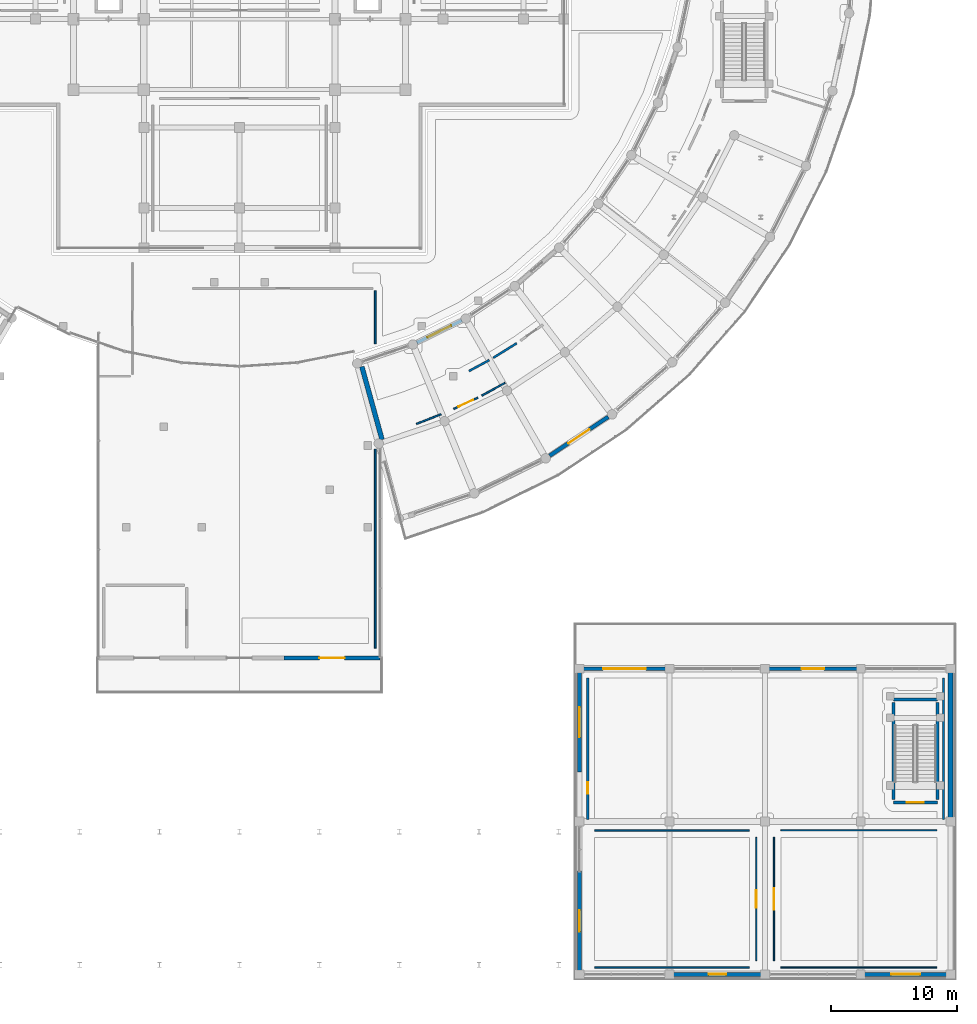
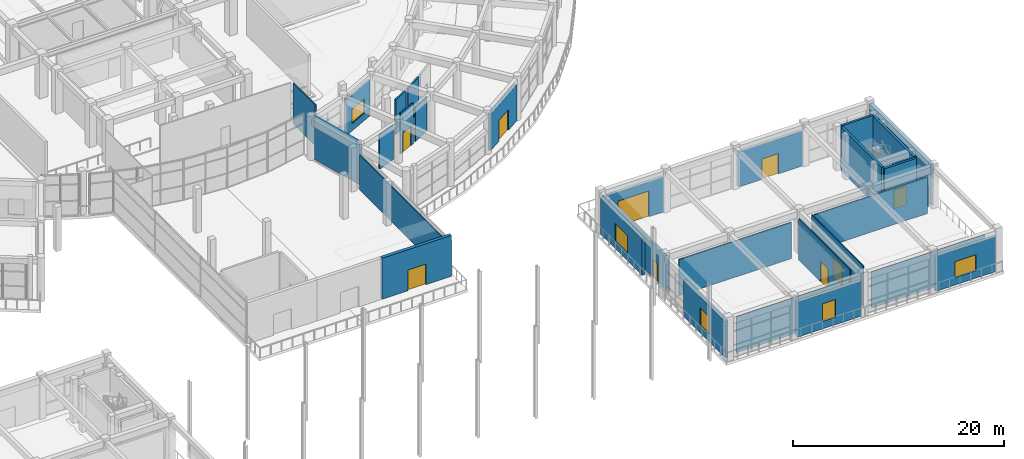
# One storey, part 67 of 99: 30 walls, 9 doors, 5 windows, 14 openings.
"""IFC4 building model written with IfcOpenShell, lengths in metres."""

from ifc_helpers import new_model, si_unit, direction, frame, frame_2d, origin, place, context, subcontext, project, spatial, rectangle, extrude, material, layer, layer_set, type_object, element, fill, save


model = new_model("IFC4")

# Units and contexts
model_context = context("Model", 3, precision=1e-05, world=origin(), true_north=direction((0.0, 1.0)))
body_context = subcontext(model_context, "Body", "Model", "MODEL_VIEW")
ifc_project = project(units=[si_unit("LENGTHUNIT", "METRE"), si_unit("AREAUNIT", "SQUARE_METRE"), si_unit("VOLUMEUNIT", "CUBIC_METRE"), si_unit("PLANEANGLEUNIT", "RADIAN"), si_unit("MASSUNIT", "GRAM", prefix="KILO")], contexts=[model_context])

# Site, building, storey
site_placement = place(None, origin())
site = spatial("IfcSite", under=ifc_project, at=site_placement, CompositionType="ELEMENT")
building_placement = place(site_placement, origin())
building = spatial("IfcBuilding", under=site, at=building_placement, Name="Saryqyr Civic Hall", CompositionType="ELEMENT")
storey_placement = place(building_placement, origin())
storey = spatial("IfcBuildingStorey", under=building, at=storey_placement, Name="L00", CompositionType="ELEMENT", Elevation=0.0)

# Wall, opening, window
ifc_material_1 = material(Name="Precast concrete C40/50", Category="concrete")
ifc_layer_1 = layer(ifc_material_1, 0.27001953125, Name="Precast concrete C40/50")
ifc_layer_set_1 = layer_set([ifc_layer_1], Name="Precast concrete C40/50")
wall_type_1 = type_object("IfcWallType", Name="ENV-WAL-EXT-270", PredefinedType="STANDARD", material=ifc_layer_set_1)
wall_1_placement = place(storey_placement, frame((71.107666015625, 50.6845703125, 0.0), z_axis=(0.0, 0.0, 1.0), x_axis=(0.897976743732, 0.440042915767, 0.0)))
wall_1 = element("IfcWall", 1, at=wall_1_placement, inside=storey, type_object=wall_type_1, Name="Exterior wall V5-EWI-L00-01", PredefinedType="STANDARD", context=body_context, shape_type="SweptSolid", body=[
    extrude(rectangle(XDim=3.984619140625, YDim=0.27001953125, at=frame_2d((1.9921875, 0.0))), origin(), (0.0, 0.0, 1.0), 4.195068359375),
])
opening_1_placement = place(wall_1_placement, frame((0.94189453125, 0.0, 0.85009765625)))
opening_1 = element("IfcOpeningElement", 2, at=opening_1_placement, cuts=wall_1, Name="Opening W-21", PredefinedType="OPENING", context=body_context, shape_type="SweptSolid", body=[
    extrude(rectangle(XDim=2.10009765625, YDim=1.64990234375, at=frame_2d((1.050048828125, 0.824951171875))), frame((0.0, 0.14501953125, 0.0), z_axis=(0.0, -1.0, 0.0), x_axis=(1.0, 0.0, 0.0)), (0.0, 0.0, 1.0), 0.2900390625),
])
ifc_material_2 = material(Name="Anodised aluminium and triple low-E glass", Category="aluminium")
window_type_1 = type_object("IfcWindowType", Name="ENV-WIN-W21", PartitioningType="SINGLE_PANEL", PredefinedType="WINDOW", material=ifc_material_2)
window_1_placement = place(opening_1_placement, origin())
window_1 = element("IfcWindow", 3, at=window_1_placement, inside=storey, type_object=window_type_1, Name="Courtyard window V5-L00-01", OverallHeight=1.64990234375, OverallWidth=2.10009765625, PartitioningType="SINGLE_PANEL", PredefinedType="WINDOW", context=body_context, shape_type="SweptSolid", body=[
    extrude(rectangle(XDim=2.10009765625, YDim=1.64990234375, at=frame_2d((1.050048828125, 0.824951171875))), frame((0.0, 0.030029296875, 0.0), z_axis=(0.0, -1.0, 0.0), x_axis=(1.0, 0.0, 0.0)), (0.0, 0.0, 1.0), 0.06005859375),
])
fill(opening_1, window_1)

# Wall, opening, door
ifc_layer_2 = layer(ifc_material_1, 0.31005859375, Name="Precast concrete C40/50")
ifc_layer_set_2 = layer_set([ifc_layer_2], Name="Precast concrete C40/50")
wall_type_2 = type_object("IfcWallType", Name="ENV-WAL-EXT-310", PredefinedType="STANDARD", material=ifc_layer_set_2)
wall_2_placement = place(storey_placement, frame((86.32568359375, 44.7724609375, 0.0), z_axis=(0.0, 0.0, 1.0), x_axis=(-0.833767967978, -0.552115002127, 0.0)))
wall_2 = element("IfcWall", 4, at=wall_2_placement, inside=storey, type_object=wall_type_2, Name="Exterior wall V5-EWO-L00-02", PredefinedType="STANDARD", context=body_context, shape_type="SweptSolid", body=[
    extrude(rectangle(XDim=5.5849609375, YDim=0.31005859375, at=frame_2d((2.79248046875, 0.0))), origin(), (0.0, 0.0, 1.0), 4.195068359375),
])
opening_2_placement = place(wall_2_placement, frame((1.7919921875, 0.0, 0.0)))
opening_2 = element("IfcOpeningElement", 5, at=opening_2_placement, cuts=wall_2, Name="Opening ED-A", PredefinedType="OPENING", context=body_context, shape_type="SweptSolid", body=[
    extrude(rectangle(XDim=2.0, YDim=2.39990234375, at=frame_2d((1.0, 1.199951171875))), frame((0.0, 0.1650390625, 0.0), z_axis=(0.0, -1.0, 0.0), x_axis=(1.0, 0.0, 0.0)), (0.0, 0.0, 1.0), 0.330078125),
])
ifc_material_3 = material(Name="Thermally broken painted galvanized steel", Category="steel")
door_type_1 = type_object("IfcDoorType", Name="ENV-DR-EXIT-2000x2400", OperationType="NOTDEFINED", PredefinedType="DOOR", material=ifc_material_3)
door_1_placement = place(opening_2_placement, origin())
door_1 = element("IfcDoor", 6, at=door_1_placement, inside=storey, type_object=door_type_1, Name="Pedestrian Final Exit Door V5-02", OperationType="DOUBLE_DOOR_SINGLE_SWING", OverallHeight=2.39990234375, OverallWidth=2.0, PredefinedType="DOOR", context=body_context, shape_type="SweptSolid", body=[
    extrude(rectangle(XDim=2.0, YDim=2.39990234375, at=frame_2d((1.0, 1.199951171875))), frame((0.0, 0.02490234375, 0.0), z_axis=(0.0, -1.0, 0.0), x_axis=(1.0, 0.0, 0.0)), (0.0, 0.0, 1.0), 0.050048828125),
])
fill(opening_2, door_1)

# Wall, opening, window
wall_3_placement = place(storey_placement, frame((113.264892578125, 0.449951171875, 0.0), z_axis=(0.0, 0.0, 1.0), x_axis=(-1.0, 0.0, 0.0)))
wall_3 = element("IfcWall", 7, at=wall_3_placement, inside=storey, type_object=wall_type_2, Name="Exterior wall V7E-EW-L00-0-0", PredefinedType="STANDARD", context=body_context, shape_type="SweptSolid", body=[
    extrude(rectangle(XDim=6.579833984375, YDim=0.31005859375, at=frame_2d((3.2900390625, 0.0))), origin(), (0.0, 0.0, 1.0), 4.044921875),
])
opening_3_placement = place(wall_3_placement, frame((2.139892578125, 0.0, 0.85009765625)))
opening_3 = element("IfcOpeningElement", 8, at=opening_3_placement, cuts=wall_3, Name="Opening W-29", PredefinedType="OPENING", context=body_context, shape_type="SweptSolid", body=[
    extrude(rectangle(XDim=2.300048828125, YDim=1.85009765625, at=frame_2d((1.14990234375, 0.925048828125))), frame((0.0, 0.1650390625, 0.0), z_axis=(0.0, -1.0, 0.0), x_axis=(1.0, 0.0, 0.0)), (0.0, 0.0, 1.0), 0.330078125),
])
window_type_2 = type_object("IfcWindowType", Name="ENV-WIN-W29", PartitioningType="SINGLE_PANEL", PredefinedType="WINDOW", material=ifc_material_2)
window_2_placement = place(opening_3_placement, origin())
window_2 = element("IfcWindow", 9, at=window_2_placement, inside=storey, type_object=window_type_2, Name="Gatehouse window E-L00-0-0", OverallHeight=1.85009765625, OverallWidth=2.300048828125, PartitioningType="SINGLE_PANEL", PredefinedType="WINDOW", context=body_context, shape_type="SweptSolid", body=[
    extrude(rectangle(XDim=2.300048828125, YDim=1.85009765625, at=frame_2d((1.14990234375, 0.925048828125))), frame((0.0, 0.030029296875, 0.0), z_axis=(0.0, -1.0, 0.0), x_axis=(1.0, 0.0, 0.0)), (0.0, 0.0, 1.0), 0.06005859375),
])
fill(opening_3, window_2)

wall_4_placement = place(storey_placement, frame((98.514892578125, 0.449951171875, 0.0), z_axis=(0.0, 0.0, 1.0), x_axis=(-1.0, 0.0, 0.0)))
wall_4 = element("IfcWall", 10, at=wall_4_placement, inside=storey, type_object=wall_type_2, Name="Exterior wall V7E-EW-L00-0-2", PredefinedType="STANDARD", context=body_context, shape_type="SweptSolid", body=[
    extrude(rectangle(XDim=7.02978515625, YDim=0.31005859375, at=frame_2d((3.514892578125, 0.0))), origin(), (0.0, 0.0, 1.0), 4.044921875),
])
opening_4_placement = place(wall_4_placement, frame((2.81494140625, 0.0, 0.85009765625)))
opening_4 = element("IfcOpeningElement", 11, at=opening_4_placement, cuts=wall_4, Name="Opening W-31", PredefinedType="OPENING", context=body_context, shape_type="SweptSolid", body=[
    extrude(rectangle(XDim=1.39990234375, YDim=2.050048828125, at=frame_2d((0.699951171875, 1.02490234375))), frame((0.0, 0.1650390625, 0.0), z_axis=(0.0, -1.0, 0.0), x_axis=(1.0, 0.0, 0.0)), (0.0, 0.0, 1.0), 0.330078125),
])
window_type_3 = type_object("IfcWindowType", Name="ENV-WIN-W31", PartitioningType="SINGLE_PANEL", PredefinedType="WINDOW", material=ifc_material_2)
window_3_placement = place(opening_4_placement, origin())
window_3 = element("IfcWindow", 12, at=window_3_placement, inside=storey, type_object=window_type_3, Name="Gatehouse window E-L00-0-2", OverallHeight=2.050048828125, OverallWidth=1.39990234375, PartitioningType="SINGLE_PANEL", PredefinedType="WINDOW", context=body_context, shape_type="SweptSolid", body=[
    extrude(rectangle(XDim=1.39990234375, YDim=2.050048828125, at=frame_2d((0.699951171875, 1.02490234375))), frame((0.0, 0.030029296875, 0.0), z_axis=(0.0, -1.0, 0.0), x_axis=(1.0, 0.0, 0.0)), (0.0, 0.0, 1.0), 0.06005859375),
])
fill(opening_4, window_3)

# Wall, opening, door
wall_5_placement = place(storey_placement, frame((84.3349609375, 24.75, 0.0), z_axis=(0.0, 0.0, 1.0), x_axis=(1.0, 0.0, 0.0)))
wall_5 = element("IfcWall", 13, at=wall_5_placement, inside=storey, type_object=wall_type_2, Name="Exterior wall V7E-EW-L00-2-0", PredefinedType="STANDARD", context=body_context, shape_type="SweptSolid", body=[
    extrude(rectangle(XDim=6.580078125, YDim=0.31005859375, at=frame_2d((3.2900390625, 0.0))), origin(), (0.0, 0.0, 1.0), 4.044921875),
])
opening_5_placement = place(wall_5_placement, frame((1.590087890625, 0.0, 0.0)))
opening_5 = element("IfcOpeningElement", 14, at=opening_5_placement, cuts=wall_5, Name="Opening VG-B", PredefinedType="OPENING", context=body_context, shape_type="SweptSolid", body=[
    extrude(rectangle(XDim=3.39990234375, YDim=3.0, at=frame_2d((1.699951171875, 1.5))), frame((0.0, 0.1650390625, 0.0), z_axis=(0.0, -1.0, 0.0), x_axis=(1.0, 0.0, 0.0)), (0.0, 0.0, 1.0), 0.330078125),
])
door_type_2 = type_object("IfcDoorType", Name="ENV-GT-SRV-3400x3000", OperationType="NOTDEFINED", PredefinedType="GATE", material=ifc_material_3)
door_2_placement = place(opening_5_placement, origin())
door_2 = element("IfcDoor", 15, at=door_2_placement, inside=storey, type_object=door_type_2, Name="Service loading bay roller-shutter gate VG-02", OperationType="ROLLINGUP", OverallHeight=3.0, OverallWidth=3.39990234375, PredefinedType="GATE", context=body_context, shape_type="SweptSolid", body=[
    extrude(rectangle(XDim=3.39990234375, YDim=3.0, at=frame_2d((1.699951171875, 1.5))), frame((0.0, 0.02490234375, 0.0), z_axis=(0.0, -1.0, 0.0), x_axis=(1.0, 0.0, 0.0)), (0.0, 0.0, 1.0), 0.050048828125),
])
fill(opening_5, door_2)

wall_6_placement = place(storey_placement, frame((99.0849609375, 24.75, 0.0), z_axis=(0.0, 0.0, 1.0), x_axis=(1.0, 0.0, 0.0)))
wall_6 = element("IfcWall", 16, at=wall_6_placement, inside=storey, type_object=wall_type_2, Name="Exterior wall V7E-EW-L00-2-2", PredefinedType="STANDARD", context=body_context, shape_type="SweptSolid", body=[
    extrude(rectangle(XDim=7.030029296875, YDim=0.31005859375, at=frame_2d((3.51513671875, 0.0))), origin(), (0.0, 0.0, 1.0), 4.044921875),
])
opening_6_placement = place(wall_6_placement, frame((2.614990234375, 0.0, 0.0)))
opening_6 = element("IfcOpeningElement", 17, at=opening_6_placement, cuts=wall_6, Name="Opening ED-B", PredefinedType="OPENING", context=body_context, shape_type="SweptSolid", body=[
    extrude(rectangle(XDim=1.800048828125, YDim=2.35009765625, at=frame_2d((0.89990234375, 1.175048828125))), frame((0.0, 0.1650390625, 0.0), z_axis=(0.0, -1.0, 0.0), x_axis=(1.0, 0.0, 0.0)), (0.0, 0.0, 1.0), 0.330078125),
])
door_type_3 = type_object("IfcDoorType", Name="ENV-DR-EXIT-1800x2350", OperationType="NOTDEFINED", PredefinedType="DOOR", material=ifc_material_3)
door_3_placement = place(opening_6_placement, origin())
door_3 = element("IfcDoor", 18, at=door_3_placement, inside=storey, type_object=door_type_3, Name="Pedestrian Final Exit Door Boulevard E", OperationType="DOUBLE_DOOR_SINGLE_SWING", OverallHeight=2.35009765625, OverallWidth=1.800048828125, PredefinedType="DOOR", context=body_context, shape_type="SweptSolid", body=[
    extrude(rectangle(XDim=1.800048828125, YDim=2.35009765625, at=frame_2d((0.89990234375, 1.175048828125))), frame((0.0, 0.02490234375, 0.0), z_axis=(0.0, -1.0, 0.0), x_axis=(1.0, 0.0, 0.0)), (0.0, 0.0, 1.0), 0.050048828125),
])
fill(opening_6, door_3)

# Wall, opening, window
wall_7_placement = place(storey_placement, frame((84.050048828125, 0.735107421875, 0.0), z_axis=(0.0, 0.0, 1.0), x_axis=(0.0, 1.0, 0.0)))
wall_7 = element("IfcWall", 19, at=wall_7_placement, inside=storey, type_object=wall_type_2, Name="Exterior wall V7E-EW-L00-3-0", PredefinedType="STANDARD", context=body_context, shape_type="SweptSolid", body=[
    extrude(rectangle(XDim=7.934814453125, YDim=0.31005859375, at=frame_2d((3.96728515625, 0.0))), origin(), (0.0, 0.0, 1.0), 4.195068359375),
])
opening_7_placement = place(wall_7_placement, frame((3.116943359375, 0.0, 0.85009765625)))
opening_7 = element("IfcOpeningElement", 20, at=opening_7_placement, cuts=wall_7, Name="Opening W-32", PredefinedType="OPENING", context=body_context, shape_type="SweptSolid", body=[
    extrude(rectangle(XDim=1.699951171875, YDim=2.050048828125, at=frame_2d((0.85009765625, 1.02490234375))), frame((0.0, 0.1650390625, 0.0), z_axis=(0.0, -1.0, 0.0), x_axis=(1.0, 0.0, 0.0)), (0.0, 0.0, 1.0), 0.330078125),
])
window_type_4 = type_object("IfcWindowType", Name="ENV-WIN-W32", PartitioningType="SINGLE_PANEL", PredefinedType="WINDOW", material=ifc_material_2)
window_4_placement = place(opening_7_placement, origin())
window_4 = element("IfcWindow", 21, at=window_4_placement, inside=storey, type_object=window_type_4, Name="Gatehouse window E-L00-3-0", OverallHeight=2.050048828125, OverallWidth=1.699951171875, PartitioningType="SINGLE_PANEL", PredefinedType="WINDOW", context=body_context, shape_type="SweptSolid", body=[
    extrude(rectangle(XDim=1.699951171875, YDim=2.050048828125, at=frame_2d((0.85009765625, 1.02490234375))), frame((0.0, 0.030029296875, 0.0), z_axis=(0.0, -1.0, 0.0), x_axis=(1.0, 0.0, 0.0)), (0.0, 0.0, 1.0), 0.06005859375),
])
fill(opening_7, window_4)

wall_8_placement = place(storey_placement, frame((84.050048828125, 16.530029296875, 0.0), z_axis=(0.0, 0.0, 1.0), x_axis=(0.0, 1.0, 0.0)))
wall_8 = element("IfcWall", 22, at=wall_8_placement, inside=storey, type_object=wall_type_2, Name="Exterior wall V7E-EW-L00-3-2", PredefinedType="STANDARD", context=body_context, shape_type="SweptSolid", body=[
    extrude(rectangle(XDim=7.93505859375, YDim=0.31005859375, at=frame_2d((3.967529296875, 0.0))), origin(), (0.0, 0.0, 1.0), 4.195068359375),
])
opening_8_placement = place(wall_8_placement, frame((2.76708984375, 0.0, 0.85009765625)))
opening_8 = element("IfcOpeningElement", 23, at=opening_8_placement, cuts=wall_8, Name="Opening W-34", PredefinedType="OPENING", context=body_context, shape_type="SweptSolid", body=[
    extrude(rectangle(XDim=2.39990234375, YDim=2.050048828125, at=frame_2d((1.199951171875, 1.02490234375))), frame((0.0, 0.1650390625, 0.0), z_axis=(0.0, -1.0, 0.0), x_axis=(1.0, 0.0, 0.0)), (0.0, 0.0, 1.0), 0.330078125),
])
window_type_5 = type_object("IfcWindowType", Name="ENV-WIN-W34", PartitioningType="SINGLE_PANEL", PredefinedType="WINDOW", material=ifc_material_2)
window_5_placement = place(opening_8_placement, origin())
window_5 = element("IfcWindow", 24, at=window_5_placement, inside=storey, type_object=window_type_5, Name="Gatehouse window E-L00-3-2", OverallHeight=2.050048828125, OverallWidth=2.39990234375, PartitioningType="SINGLE_PANEL", PredefinedType="WINDOW", context=body_context, shape_type="SweptSolid", body=[
    extrude(rectangle(XDim=2.39990234375, YDim=2.050048828125, at=frame_2d((1.199951171875, 1.02490234375))), frame((0.0, 0.030029296875, 0.0), z_axis=(0.0, -1.0, 0.0), x_axis=(1.0, 0.0, 0.0)), (0.0, 0.0, 1.0), 0.06005859375),
])
fill(opening_8, window_5)

# Wall, opening, door
ifc_layer_3 = layer(ifc_material_1, 0.340087890625, Name="Precast concrete C40/50")
ifc_layer_set_3 = layer_set([ifc_layer_3], Name="Precast concrete C40/50")
wall_type_3 = type_object("IfcWallType", Name="ENV-WAL-EXT-340", PredefinedType="STANDARD", material=ifc_layer_set_3)
wall_9_placement = place(storey_placement, frame((68.169921875, 25.610107421875, 0.0), z_axis=(0.0, 0.0, 1.0), x_axis=(-1.0, 0.0, 0.0)))
wall_9 = element("IfcWall", 25, at=wall_9_placement, inside=storey, type_object=wall_type_3, Name="Exterior wall V2-PORTAL-S-2", PredefinedType="STANDARD", context=body_context, shape_type="SweptSolid", body=[
    extrude(rectangle(XDim=7.606689453125, YDim=0.340087890625, at=frame_2d((3.80322265625, 0.0))), origin(), (0.0, 0.0, 1.0), 4.75),
])
opening_9_placement = place(wall_9_placement, frame((2.802978515625, 0.0, 0.0)))
opening_9 = element("IfcOpeningElement", 26, at=opening_9_placement, cuts=wall_9, Name="Opening ED-A", PredefinedType="OPENING", context=body_context, shape_type="SweptSolid", body=[
    extrude(rectangle(XDim=2.0, YDim=2.39990234375, at=frame_2d((1.0, 1.199951171875))), frame((0.0, 0.179931640625, 0.0), z_axis=(0.0, -1.0, 0.0), x_axis=(1.0, 0.0, 0.0)), (0.0, 0.0, 1.0), 0.360107421875),
])
door_4_placement = place(opening_9_placement, origin())
door_4 = element("IfcDoor", 27, at=door_4_placement, inside=storey, type_object=door_type_1, Name="Pedestrian Main Entrance Final Exit S-3", OperationType="DOUBLE_DOOR_SINGLE_SWING", OverallHeight=2.39990234375, OverallWidth=2.0, PredefinedType="DOOR", context=body_context, shape_type="SweptSolid", body=[
    extrude(rectangle(XDim=2.0, YDim=2.39990234375, at=frame_2d((1.0, 1.199951171875))), frame((0.0, 0.02490234375, 0.0), z_axis=(0.0, -1.0, 0.0), x_axis=(1.0, 0.0, 0.0)), (0.0, 0.0, 1.0), 0.050048828125),
])
fill(opening_9, door_4)

# Walls
ifc_material_4 = material(Name="Concrete C40/50", Category="concrete")
ifc_layer_4 = layer(ifc_material_4, 0.3798828125, Name="Concrete C40/50")
ifc_layer_set_4 = layer_set([ifc_layer_4], Name="Concrete C40/50")
wall_type_4 = type_object("IfcWallType", Name="ENV-WAL-PTY-380", PredefinedType="SHEAR", material=ifc_layer_set_4)
wall_10_placement = place(storey_placement, frame((68.340576171875, 42.968505859375, 0.0), z_axis=(0.0, 0.0, 1.0), x_axis=(-0.266413711987, 0.963858772884, 0.0)))
element("IfcWall", 28, at=wall_10_placement, inside=storey, type_object=wall_type_4, Name="Exterior wall V5-JNTW-A-L00", PredefinedType="SHEAR", context=body_context, shape_type="SweptSolid", body=[
    extrude(rectangle(XDim=6.019775390625, YDim=0.3798828125, at=frame_2d((3.009765625, 0.0))), origin(), (0.0, 0.0, 1.0), 4.800048828125),
])
wall_11_placement = place(storey_placement, frame((113.550048828125, 24.465087890625, 0.0), z_axis=(0.0, 0.0, 1.0), x_axis=(0.0, -1.0, 0.0)))
element("IfcWall", 29, at=wall_11_placement, inside=storey, type_object=wall_type_4, Name="Exterior wall V7E-PTY-L00", PredefinedType="SHEAR", context=body_context, shape_type="SweptSolid", body=[
    extrude(rectangle(XDim=11.580078125, YDim=0.3798828125, at=frame_2d((5.7900390625, 0.0))), origin(), (0.0, 0.0, 1.0), 4.75),
])

# Wall, opening, door
ifc_material_5 = material(Name="Lightweight demountable partition", Category="gypsum")
ifc_layer_5 = layer(ifc_material_5, 0.094970703125, Name="Lightweight demountable partition")
ifc_layer_set_5 = layer_set([ifc_layer_5], Name="Lightweight demountable partition")
wall_type_5 = type_object("IfcWallType", Name="INT-WAL-PRT-095", PredefinedType="PARTITIONING", material=ifc_layer_set_5)
wall_12_placement = place(storey_placement, frame((99.5, 1.550048828125, 0.0), z_axis=(0.0, 0.0, 1.0), x_axis=(0.0, 1.0, 0.0)))
wall_12 = element("IfcWall", 30, at=wall_12_placement, inside=storey, type_object=wall_type_5, Name="Interior partition PRT-SP-V7E-L00-R05-W1", PredefinedType="PARTITIONING", context=body_context, shape_type="SweptSolid", body=[
    extrude(rectangle(XDim=9.800048828125, YDim=0.094970703125, at=frame_2d((4.89990234375, 0.0))), origin(), (0.0, 0.0, 1.0), 4.72998046875),
])
opening_10_placement = place(wall_12_placement, frame((4.050048828125, 0.0, 0.0)))
opening_10 = element("IfcOpeningElement", 31, at=opening_10_placement, cuts=wall_12, Name="Opening D-19", PredefinedType="OPENING", context=body_context, shape_type="SweptSolid", body=[
    extrude(rectangle(XDim=1.699951171875, YDim=2.35009765625, at=frame_2d((0.85009765625, 1.175048828125))), frame((0.0, 0.057373046875, 0.0), z_axis=(0.0, -1.0, 0.0), x_axis=(1.0, 0.0, 0.0)), (0.0, 0.0, 1.0), 0.114990234375),
])
ifc_material_6 = material(Name="Acoustic solid-core oak veneer", Category="wood")
door_type_4 = type_object("IfcDoorType", Name="INT-DR-D-19", OperationType="NOTDEFINED", PredefinedType="DOOR", material=ifc_material_6)
door_5_placement = place(opening_10_placement, origin())
door_5 = element("IfcDoor", 32, at=door_5_placement, inside=storey, type_object=door_type_4, Name="Interior door Central Mailroom & Facility Store", OperationType="DOUBLE_DOOR_SINGLE_SWING", OverallHeight=2.35009765625, OverallWidth=1.699951171875, PredefinedType="DOOR", context=body_context, shape_type="SweptSolid", body=[
    extrude(rectangle(XDim=1.699951171875, YDim=2.35009765625, at=frame_2d((0.85009765625, 1.175048828125))), frame((0.0, 0.02490234375, 0.0), z_axis=(0.0, -1.0, 0.0), x_axis=(1.0, 0.0, 0.0)), (0.0, 0.0, 1.0), 0.050048828125),
])
fill(opening_10, door_5)

# Walls
for number, where, z_axis, x_axis, name in (
    (33, (100.050048828125, 11.89990234375, 0.0), (0.0, 0.0, 1.0), (1.0, 0.0, 0.0), "Interior partition PRT-SP-V7E-L00-R05-W2"),
    (34, (112.449951171875, 1.0, 0.0), (0.0, 0.0, 1.0), (-1.0, 0.0, 0.0), "Interior partition PRT-SP-V7E-L00-R05-W3"),
):
    element("IfcWall", number, at=place(storey_placement, frame(where, z_axis=z_axis, x_axis=x_axis)), inside=storey, type_object=wall_type_5, Name=name, PredefinedType="PARTITIONING", context=body_context, shape_type="SweptSolid", body=[
        extrude(rectangle(XDim=12.39990234375, YDim=0.094970703125, at=frame_2d((6.199951171875, 0.0))), origin(), (0.0, 0.0, 1.0), 4.195068359375),
    ])

# Wall, opening, door
ifc_material_7 = material(Name="Moisture-resistant gypsum partition", Category="gypsum")
ifc_layer_6 = layer(ifc_material_7, 0.110107421875, Name="Moisture-resistant gypsum partition")
ifc_layer_set_6 = layer_set([ifc_layer_6], Name="Moisture-resistant gypsum partition")
wall_type_6 = type_object("IfcWallType", Name="INT-WAL-PRT-110", PredefinedType="PARTITIONING", material=ifc_layer_set_6)
wall_13_placement = place(storey_placement, frame((98.10009765625, 11.35009765625, 0.0), z_axis=(0.0, 0.0, 1.0), x_axis=(0.0, -1.0, 0.0)))
wall_13 = element("IfcWall", 35, at=wall_13_placement, inside=storey, type_object=wall_type_6, Name="Interior partition PRT-SP-V7E-L00-R04-W1", PredefinedType="PARTITIONING", context=body_context, shape_type="SweptSolid", body=[
    extrude(rectangle(XDim=9.800048828125, YDim=0.110107421875, at=frame_2d((4.89990234375, 0.0))), origin(), (0.0, 0.0, 1.0), 4.72998046875),
])
opening_11_placement = place(wall_13_placement, frame((4.199951171875, 0.0, 0.0)))
opening_11 = element("IfcOpeningElement", 36, at=opening_11_placement, cuts=wall_13, Name="Opening D-18", PredefinedType="OPENING", context=body_context, shape_type="SweptSolid", body=[
    extrude(rectangle(XDim=1.39990234375, YDim=2.35009765625, at=frame_2d((0.699951171875, 1.175048828125))), frame((0.0, 0.06494140625, 0.0), z_axis=(0.0, -1.0, 0.0), x_axis=(1.0, 0.0, 0.0)), (0.0, 0.0, 1.0), 0.130126953125),
])
door_type_5 = type_object("IfcDoorType", Name="INT-DR-D-18", OperationType="NOTDEFINED", PredefinedType="DOOR", material=ifc_material_6)
door_6_placement = place(opening_11_placement, origin())
door_6 = element("IfcDoor", 37, at=door_6_placement, inside=storey, type_object=door_type_5, Name="Interior door Accredited Media Entrance & Press Desk", OperationType="SINGLE_SWING_LEFT", OverallHeight=2.35009765625, OverallWidth=1.39990234375, PredefinedType="DOOR", context=body_context, shape_type="SweptSolid", body=[
    extrude(rectangle(XDim=1.39990234375, YDim=2.35009765625, at=frame_2d((0.699951171875, 1.175048828125))), frame((0.0, 0.02490234375, 0.0), z_axis=(0.0, -1.0, 0.0), x_axis=(1.0, 0.0, 0.0)), (0.0, 0.0, 1.0), 0.050048828125),
])
fill(opening_11, door_6)

# Walls
for number, where, z_axis, x_axis, name in (
    (38, (85.25, 11.89990234375, 0.0), (0.0, 0.0, 1.0), (1.0, 0.0, 0.0), "Interior partition PRT-SP-V7E-L00-R04-W2"),
    (39, (97.550048828125, 1.0, 0.0), (0.0, 0.0, 1.0), (-1.0, 0.0, 0.0), "Interior partition PRT-SP-V7E-L00-R04-W3"),
):
    element("IfcWall", number, at=place(storey_placement, frame(where, z_axis=z_axis, x_axis=x_axis)), inside=storey, type_object=wall_type_6, Name=name, PredefinedType="PARTITIONING", context=body_context, shape_type="SweptSolid", body=[
        extrude(rectangle(XDim=12.300048828125, YDim=0.110107421875, at=frame_2d((6.14990234375, 0.0))), origin(), (0.0, 0.0, 1.0), 4.195068359375),
    ])
ifc_material_8 = material(Name="Metal-stud gypsum board partition", Category="gypsum")
ifc_layer_7 = layer(ifc_material_8, 0.125, Name="Metal-stud gypsum board partition")
ifc_layer_set_7 = layer_set([ifc_layer_7], Name="Metal-stud gypsum board partition")
wall_type_7 = type_object("IfcWallType", Name="INT-WAL-PRT-125", PredefinedType="PARTITIONING", material=ifc_layer_set_7)
wall_14_placement = place(storey_placement, frame((76.274658203125, 46.46533203125, 0.0), z_axis=(0.0, 0.0, 1.0), x_axis=(0.875823226304, 0.48263202988, 0.0)))
element("IfcWall", 40, at=wall_14_placement, inside=storey, type_object=wall_type_7, Name="Interior partition PRT-SP-V5-L00-R01-W1", PredefinedType="PARTITIONING", context=body_context, shape_type="SweptSolid", body=[
    extrude(rectangle(XDim=2.101806640625, YDim=0.125, at=frame_2d((1.05078125, 0.0))), origin(), (0.0, 0.0, 1.0), 4.044921875),
])

# Wall, opening, door
wall_15_placement = place(storey_placement, frame((74.049072265625, 45.41357421875, 0.0), z_axis=(0.0, 0.0, 1.0), x_axis=(0.906224679349, 0.422796441019, 0.0)))
wall_15 = element("IfcWall", 41, at=wall_15_placement, inside=storey, type_object=wall_type_7, Name="Interior partition PRT-SP-V5-L00-R01-W2", PredefinedType="PARTITIONING", context=body_context, shape_type="SweptSolid", body=[
    extrude(rectangle(XDim=2.101806640625, YDim=0.125, at=frame_2d((1.05078125, 0.0))), origin(), (0.0, 0.0, 1.0), 4.72998046875),
])
opening_12_placement = place(wall_15_placement, frame((0.40087890625, 0.0, 0.0)))
opening_12 = element("IfcOpeningElement", 42, at=opening_12_placement, cuts=wall_15, Name="Opening D-12", PredefinedType="OPENING", context=body_context, shape_type="SweptSolid", body=[
    extrude(rectangle(XDim=1.300048828125, YDim=2.219970703125, at=frame_2d((0.64990234375, 1.10986328125))), frame((0.0, 0.072509765625, 0.0), z_axis=(0.0, -1.0, 0.0), x_axis=(1.0, 0.0, 0.0)), (0.0, 0.0, 1.0), 0.14501953125),
])
door_type_6 = type_object("IfcDoorType", Name="INT-DR-D-12", OperationType="NOTDEFINED", PredefinedType="DOOR", material=ifc_material_6)
door_7_placement = place(opening_12_placement, origin())
door_7 = element("IfcDoor", 43, at=door_7_placement, inside=storey, type_object=door_type_6, Name="Interior door Citizens' Permits & Business Licensing Hall", OperationType="SINGLE_SWING_RIGHT", OverallHeight=2.219970703125, OverallWidth=1.300048828125, PredefinedType="DOOR", context=body_context, shape_type="SweptSolid", body=[
    extrude(rectangle(XDim=1.300048828125, YDim=2.219970703125, at=frame_2d((0.64990234375, 1.10986328125))), frame((0.0, 0.02490234375, 0.0), z_axis=(0.0, -1.0, 0.0), x_axis=(1.0, 0.0, 0.0)), (0.0, 0.0, 1.0), 0.050048828125),
])
fill(opening_12, door_7)

# Walls
wall_16_placement = place(storey_placement, frame((71.077880859375, 44.223388671875, 0.0), z_axis=(0.0, 0.0, 1.0), x_axis=(0.93251384579, 0.361134223538, 0.0)))
element("IfcWall", 44, at=wall_16_placement, inside=storey, type_object=wall_type_7, Name="Interior partition PRT-SP-V5-L00-R01-W3", PredefinedType="PARTITIONING", context=body_context, shape_type="SweptSolid", body=[
    extrude(rectangle(XDim=2.101806640625, YDim=0.125, at=frame_2d((1.05078125, 0.0))), origin(), (0.0, 0.0, 1.0), 4.044921875),
])
wall_17_placement = place(storey_placement, frame((67.800048828125, 54.820068359375, 0.0), z_axis=(0.0, 0.0, 1.0), x_axis=(0.0, -1.0, 0.0)))
element("IfcWall", 45, at=wall_17_placement, inside=storey, type_object=wall_type_7, Name="Interior partition PRT-SP-V2-L00-SVEST-W2", PredefinedType="PARTITIONING", context=body_context, shape_type="SweptSolid", body=[
    extrude(rectangle(XDim=4.2353515625, YDim=0.125, at=frame_2d((2.11767578125, 0.0))), origin(), (0.0, 0.0, 1.0), 4.72998046875),
])
wall_18_placement = place(storey_placement, frame((67.800048828125, 42.216796875, 0.0), z_axis=(0.0, 0.0, 1.0), x_axis=(0.0, -1.0, 0.0)))
element("IfcWall", 46, at=wall_18_placement, inside=storey, type_object=wall_type_7, Name="Interior partition PRT-SP-V2-L00-SVEST-W3", PredefinedType="PARTITIONING", context=body_context, shape_type="SweptSolid", body=[
    extrude(rectangle(XDim=15.8369140625, YDim=0.125, at=frame_2d((7.91845703125, 0.0))), origin(), (0.0, 0.0, 1.0), 4.044921875),
])
ifc_material_9 = material(Name="Acoustic double-stud gypsum board", Category="gypsum")
ifc_layer_8 = layer(ifc_material_9, 0.169921875, Name="Acoustic double-stud gypsum board")
ifc_layer_set_8 = layer_set([ifc_layer_8], Name="Acoustic double-stud gypsum board")
wall_type_8 = type_object("IfcWallType", Name="INT-WAL-PRT-170", PredefinedType="PARTITIONING", material=ifc_layer_set_8)
wall_19_placement = place(storey_placement, frame((79.048095703125, 50.631591796875, 0.0), z_axis=(0.0, 0.0, 1.0), x_axis=(-0.849164067555, -0.52812913797, 0.0)))
element("IfcWall", 47, at=wall_19_placement, inside=storey, type_object=wall_type_8, Name="Interior partition PRT-SP-V5-L00-R04-W2", PredefinedType="PARTITIONING", context=body_context, shape_type="SweptSolid", body=[
    extrude(rectangle(XDim=2.1962890625, YDim=0.169921875, at=frame_2d((1.09814453125, 0.0))), origin(), (0.0, 0.0, 1.0), 4.044921875),
])
wall_20_placement = place(storey_placement, frame((76.87158203125, 49.29150390625, 0.0), z_axis=(0.0, 0.0, 1.0), x_axis=(-0.881114083359, -0.472903766221, 0.0)))
element("IfcWall", 48, at=wall_20_placement, inside=storey, type_object=wall_type_8, Name="Interior partition PRT-SP-V5-L00-R04-W3", PredefinedType="PARTITIONING", context=body_context, shape_type="SweptSolid", body=[
    extrude(rectangle(XDim=1.826416015625, YDim=0.169921875, at=frame_2d((0.9130859375, 0.0))), origin(), (0.0, 0.0, 1.0), 4.044921875),
])

# Wall, opening, door
wall_21_placement = place(storey_placement, frame((84.699951171875, 12.75, 0.0), z_axis=(0.0, 0.0, 1.0), x_axis=(0.0, 1.0, 0.0)))
wall_21 = element("IfcWall", 49, at=wall_21_placement, inside=storey, type_object=wall_type_8, Name="Interior partition PRT-SP-V7E-L00-R06-W1", PredefinedType="PARTITIONING", context=body_context, shape_type="SweptSolid", body=[
    extrude(rectangle(XDim=11.25, YDim=0.169921875, at=frame_2d((5.625, 0.0))), origin(), (0.0, 0.0, 1.0), 4.044921875),
])
opening_13_placement = place(wall_21_placement, frame((2.070068359375, 0.0, 0.0)))
opening_13 = element("IfcOpeningElement", 50, at=opening_13_placement, cuts=wall_21, Name="Opening D-01", PredefinedType="OPENING", context=body_context, shape_type="SweptSolid", body=[
    extrude(rectangle(XDim=0.89990234375, YDim=2.10009765625, at=frame_2d((0.449951171875, 1.050048828125))), frame((0.0, 0.094970703125, 0.0), z_axis=(0.0, -1.0, 0.0), x_axis=(1.0, 0.0, 0.0)), (0.0, 0.0, 1.0), 0.18994140625),
])
door_type_7 = type_object("IfcDoorType", Name="INT-DR-D-01", OperationType="NOTDEFINED", PredefinedType="DOOR", material=ifc_material_6)
door_8_placement = place(opening_13_placement, origin())
door_8 = element("IfcDoor", 51, at=door_8_placement, inside=storey, type_object=door_type_7, Name="Interior door East Gatehouse Protected Exit Lobby and Service Hall", OperationType="SINGLE_SWING_RIGHT", OverallHeight=2.10009765625, OverallWidth=0.89990234375, PredefinedType="DOOR", context=body_context, shape_type="SweptSolid", body=[
    extrude(rectangle(XDim=0.89990234375, YDim=2.10009765625, at=frame_2d((0.449951171875, 1.050048828125))), frame((0.0, 0.02490234375, 0.0), z_axis=(0.0, -1.0, 0.0), x_axis=(1.0, 0.0, 0.0)), (0.0, 0.0, 1.0), 0.050048828125),
])
fill(opening_13, door_8)

# Wall
wall_22_placement = place(storey_placement, frame((113.0, 24.0, 0.0), z_axis=(0.0, 0.0, 1.0), x_axis=(0.0, -1.0, 0.0)))
element("IfcWall", 52, at=wall_22_placement, inside=storey, type_object=wall_type_8, Name="Interior partition PRT-SP-V7E-L00-R06-W2", PredefinedType="PARTITIONING", context=body_context, shape_type="SweptSolid", body=[
    extrude(rectangle(XDim=11.25, YDim=0.169921875, at=frame_2d((5.625, 0.0))), origin(), (0.0, 0.0, 1.0), 2.449951171875),
])

# Wall, opening, door
ifc_layer_9 = layer(ifc_material_4, 0.25, Name="Concrete C40/50")
ifc_layer_set_9 = layer_set([ifc_layer_9], Name="Concrete C40/50")
wall_type_9 = type_object("IfcWallType", Name="INT-WAL-SHR-250", PredefinedType="SHEAR", material=ifc_layer_set_9)
wall_23_placement = place(storey_placement, frame((112.5, 14.10009765625, 0.0), z_axis=(0.0, 0.0, 1.0), x_axis=(-1.0, 0.0, 0.0)))
wall_23 = element("IfcWall", 53, at=wall_23_placement, inside=storey, type_object=wall_type_9, Name="Protected stair shaft wall ST-8-SW1-L00", PredefinedType="SHEAR", context=body_context, shape_type="SweptSolid", body=[
    extrude(rectangle(XDim=3.5, YDim=0.25, at=frame_2d((1.75, 0.0))), origin(), (0.0, 0.0, 1.0), 5.10009765625),
])
opening_14_placement = place(wall_23_placement, frame((1.074951171875, 0.0, 0.0)))
opening_14 = element("IfcOpeningElement", 54, at=opening_14_placement, cuts=wall_23, Name="Opening SD-01", PredefinedType="OPENING", context=body_context, shape_type="SweptSolid", body=[
    extrude(rectangle(XDim=1.35009765625, YDim=2.199951171875, at=frame_2d((0.675048828125, 1.10009765625))), frame((0.0, 0.135009765625, 0.0), z_axis=(0.0, -1.0, 0.0), x_axis=(1.0, 0.0, 0.0)), (0.0, 0.0, 1.0), 0.27001953125),
])
ifc_material_10 = material(Name="Painted galvanized steel", Category="steel")
door_type_8 = type_object("IfcDoorType", Name="INT-DR-STAIR-1350x2200", OperationType="NOTDEFINED", PredefinedType="DOOR", material=ifc_material_10)
door_9_placement = place(opening_14_placement, origin())
door_9 = element("IfcDoor", 55, at=door_9_placement, inside=storey, type_object=door_type_8, Name="Exit stair landing fire door ST-8-L00", OperationType="SINGLE_SWING_LEFT", OverallHeight=2.199951171875, OverallWidth=1.35009765625, PredefinedType="DOOR", context=body_context, shape_type="SweptSolid", body=[
    extrude(rectangle(XDim=1.35009765625, YDim=2.199951171875, at=frame_2d((0.675048828125, 1.10009765625))), frame((0.0, 0.02490234375, 0.0), z_axis=(0.0, -1.0, 0.0), x_axis=(1.0, 0.0, 0.0)), (0.0, 0.0, 1.0), 0.050048828125),
])
fill(opening_14, door_9)

# Walls
wall_24_placement = place(storey_placement, frame((109.0, 14.35009765625, 0.0), z_axis=(0.0, 0.0, 1.0), x_axis=(0.0, 1.0, 0.0)))
element("IfcWall", 56, at=wall_24_placement, inside=storey, type_object=wall_type_9, Name="Protected stair shaft wall ST-8-SW2-L00", PredefinedType="SHEAR", context=body_context, shape_type="SweptSolid", body=[
    extrude(rectangle(XDim=7.699951171875, YDim=0.25, at=frame_2d((3.85009765625, 0.0))), origin(), (0.0, 0.0, 1.0), 5.10009765625),
])
wall_25_placement = place(storey_placement, frame((109.0, 22.300048828125, 0.0), z_axis=(0.0, 0.0, 1.0), x_axis=(1.0, 0.0, 0.0)))
element("IfcWall", 57, at=wall_25_placement, inside=storey, type_object=wall_type_9, Name="Protected stair shaft wall ST-8-SW3-L00", PredefinedType="SHEAR", context=body_context, shape_type="SweptSolid", body=[
    extrude(rectangle(XDim=3.5, YDim=0.25, at=frame_2d((1.75, 0.0))), origin(), (0.0, 0.0, 1.0), 5.10009765625),
])
wall_26_placement = place(storey_placement, frame((112.5, 22.050048828125, 0.0), z_axis=(0.0, 0.0, 1.0), x_axis=(0.0, -1.0, 0.0)))
element("IfcWall", 58, at=wall_26_placement, inside=storey, type_object=wall_type_9, Name="Protected stair shaft wall ST-8-SW4-L00", PredefinedType="SHEAR", context=body_context, shape_type="SweptSolid", body=[
    extrude(rectangle(XDim=7.699951171875, YDim=0.25, at=frame_2d((3.85009765625, 0.0))), origin(), (0.0, 0.0, 1.0), 5.10009765625),
])

save(model, "model.ifc")
